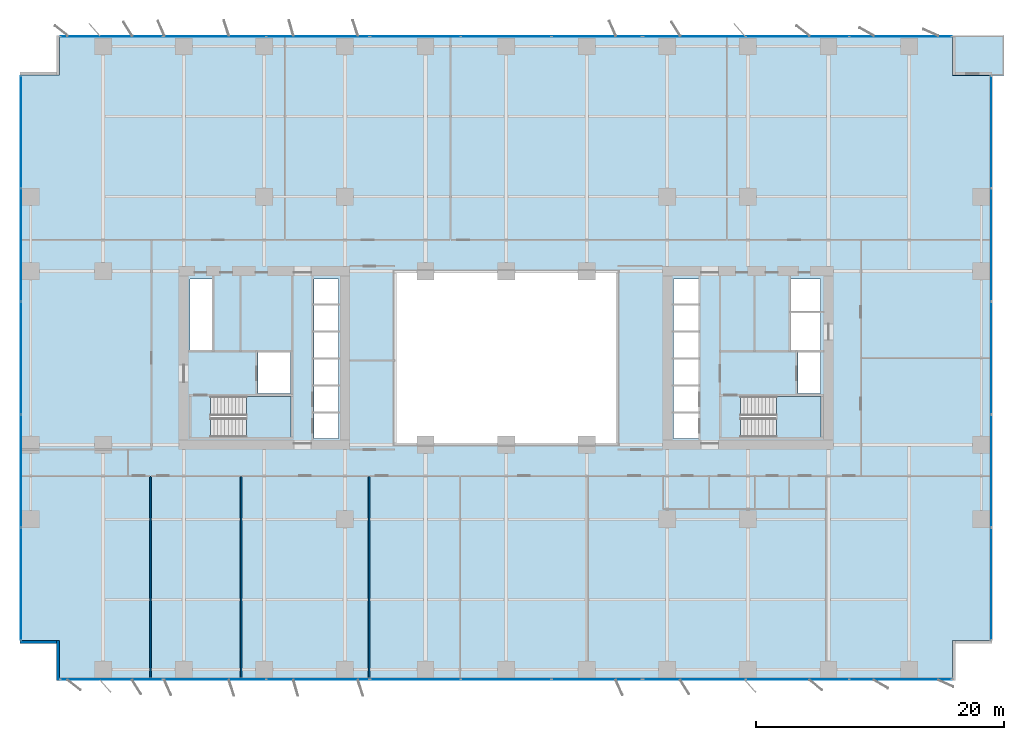
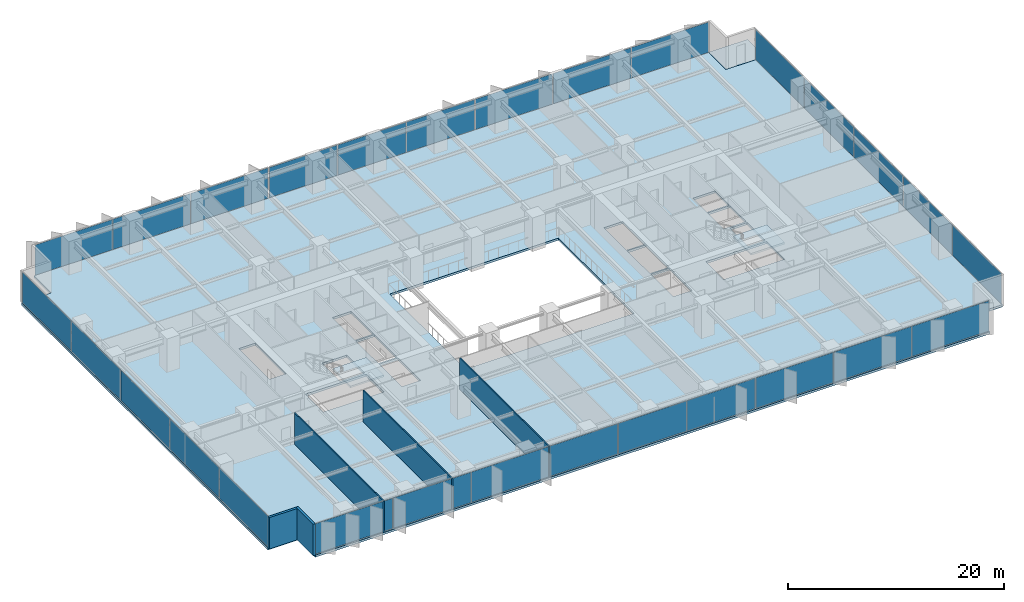
# One storey, part 12 of 20: 28 plates, 5 walls, 4 slabs, 10 elements without a shape of their own.
"""IFC4 building model written with IfcOpenShell, lengths in metres."""

from ifc_helpers import new_model, si_unit, direction, frame, frame_2d, origin, origin_2d, place, context, subcontext, project, spatial, polyline, rectangle, outline, extrude, material, layer, layer_set, type_object, element, aggregate, save


model = new_model("IFC4")

# Units and contexts
model_context = context("Model", 3, precision=1e-05, world=origin(), true_north=direction((0.0, 1.0)))
body_context = subcontext(model_context, "Body", "Model", "MODEL_VIEW")
ifc_project = project(units=[si_unit("LENGTHUNIT", "METRE"), si_unit("AREAUNIT", "SQUARE_METRE"), si_unit("VOLUMEUNIT", "CUBIC_METRE"), si_unit("PLANEANGLEUNIT", "RADIAN"), si_unit("MASSUNIT", "GRAM", prefix="KILO")], contexts=[model_context])

# Site, building, storey
site_placement = place(None, origin())
site = spatial("IfcSite", under=ifc_project, at=site_placement, CompositionType="ELEMENT")
building_placement = place(site_placement, origin())
building = spatial("IfcBuilding", under=site, at=building_placement, Name="Putna Gate Headquarters", CompositionType="ELEMENT")
storey_placement = place(building_placement, frame((0.0, 0.0, 65.800048828125)))
storey = spatial("IfcBuildingStorey", under=building, at=storey_placement, Name="L15", CompositionType="ELEMENT", Elevation=65.800048828125)

# Stair, slab
ifc_material_1 = material(Name="Concrete C40/50", Category="concrete")
stair_type_1 = type_object("IfcStairType", Name="STAIR-ST1", PredefinedType="HALF_TURN_STAIR", material=ifc_material_1)
stair_1_placement = place(storey_placement, origin())
stair_1 = element("IfcStair", 1, at=stair_1_placement, inside=storey, type_object=stair_type_1, Name="L15 West Core Exit Stair ST1", PredefinedType="HALF_TURN_STAIR")
ifc_layer_1 = layer(ifc_material_1, 0.199951171875)
ifc_layer_set_1 = layer_set([ifc_layer_1], Name="Concrete C40/50")
slab_type_1 = type_object("IfcSlabType", Name="LANDING-ST1", PredefinedType="LANDING", material=ifc_layer_set_1)
slab_1_placement = place(storey_placement, frame((0.0, 0.0, 1.699951171875)))
slab_1 = element("IfcSlab", 2, at=slab_1_placement, type_object=slab_type_1, Name="ST1 landing 1", PredefinedType="LANDING", context=body_context, shape_type="SweptSolid", body=[
    extrude(outline(polyline([(18.050048828125, 19.60009765625), (21.64990234375, 19.60009765625), (21.64990234375, 22.89990234375), (18.050048828125, 22.89990234375), (18.050048828125, 19.60009765625)])), origin(), (0.0, 0.0, 1.0), 0.199951171875),
])
aggregate(stair_1, [slab_1])

stair_type_2 = type_object("IfcStairType", Name="STAIR-ST2", PredefinedType="HALF_TURN_STAIR", material=ifc_material_1)
stair_2_placement = place(storey_placement, origin())
stair_2 = element("IfcStair", 3, at=stair_2_placement, inside=storey, type_object=stair_type_2, Name="L15 East Core Exit Stair ST2", PredefinedType="HALF_TURN_STAIR")
ifc_layer_2 = layer(ifc_material_1, 0.199951171875)
ifc_layer_set_2 = layer_set([ifc_layer_2], Name="Concrete C40/50")
slab_type_2 = type_object("IfcSlabType", Name="LANDING-ST2", PredefinedType="LANDING", material=ifc_layer_set_2)
slab_2_placement = place(storey_placement, frame((0.0, 0.0, 1.699951171875)))
slab_2 = element("IfcSlab", 4, at=slab_2_placement, type_object=slab_type_2, Name="ST2 landing 1", PredefinedType="LANDING", context=body_context, shape_type="SweptSolid", body=[
    extrude(outline(polyline([(60.800048828125, 19.60009765625), (64.39990234375, 19.60009765625), (64.39990234375, 22.89990234375), (60.800048828125, 22.89990234375), (60.800048828125, 19.60009765625)])), origin(), (0.0, 0.0, 1.0), 0.199951171875),
])
aggregate(stair_2, [slab_2])

# Curtain wall, plates
ifc_material_2 = material(Name="Anodised bronze aluminium curtain wall", Category="aluminium")
ifc_layer_3 = layer(ifc_material_2, 0.179931640625)
ifc_layer_set_3 = layer_set([ifc_layer_3], Name="Anodised bronze aluminium curtain wall")
curtain_wall_type_1 = type_object("IfcCurtainWallType", Name="CW-SYS-Z1", PredefinedType="USERDEFINED", material=ifc_layer_set_3)
curtain_wall_1_placement = place(storey_placement, origin())
curtain_wall_1 = element("IfcCurtainWall", 5, at=curtain_wall_1_placement, inside=storey, type_object=curtain_wall_type_1, Name="L15 South West Curtain Wall", ObjectType="STICK CURTAIN WALL", PredefinedType="USERDEFINED")
ifc_material_3 = material(Name="Solar-control triple low-E glass", Category="glass")
ifc_layer_4 = layer(ifc_material_3, 0.031982421875)
ifc_layer_set_4 = layer_set([ifc_layer_4], Name="Solar-control triple low-E glass")
plate_type_1 = type_object("IfcPlateType", Name="PAN-CWP-1", PredefinedType="CURTAIN_PANEL", material=ifc_layer_set_4)
plate_1_placement = place(storey_placement, frame((7.18408203125, 0.080078125, 0.06494140625), z_axis=(0.0, 0.0, 1.0), x_axis=(1.0, 0.0, 0.0)))
plate_1 = element("IfcPlate", 6, at=plate_1_placement, type_object=plate_type_1, Name="CWS-1 panel 1.1", PredefinedType="CURTAIN_PANEL", context=body_context, shape_type="SweptSolid", body=[
    extrude(rectangle(XDim=8.228271484375, YDim=0.031982421875, at=origin_2d()), origin(), (0.0, 0.0, 1.0), 3.419921875),
])
plate_2_placement = place(storey_placement, frame((15.5, 0.080078125, 0.06494140625), z_axis=(0.0, 0.0, 1.0), x_axis=(1.0, 0.0, 0.0)))
plate_2 = element("IfcPlate", 7, at=plate_2_placement, type_object=plate_type_1, Name="CWS-1 panel 2.1", PredefinedType="CURTAIN_PANEL", context=body_context, shape_type="SweptSolid", body=[
    extrude(rectangle(XDim=8.263427734375, YDim=0.031982421875, at=origin_2d()), origin(), (0.0, 0.0, 1.0), 3.419921875),
])
plate_3_placement = place(storey_placement, frame((23.81591796875, 0.080078125, 0.06494140625), z_axis=(0.0, 0.0, 1.0), x_axis=(1.0, 0.0, 0.0)))
plate_3 = element("IfcPlate", 8, at=plate_3_placement, type_object=plate_type_1, Name="CWS-1 panel 3.1", PredefinedType="CURTAIN_PANEL", context=body_context, shape_type="SweptSolid", body=[
    extrude(rectangle(XDim=8.228271484375, YDim=0.031982421875, at=origin_2d()), origin(), (0.0, 0.0, 1.0), 3.419921875),
])
aggregate(curtain_wall_1, [plate_1, plate_2, plate_3])

curtain_wall_2_placement = place(storey_placement, origin())
curtain_wall_2 = element("IfcCurtainWall", 9, at=curtain_wall_2_placement, inside=storey, type_object=curtain_wall_type_1, Name="L15 South East Curtain Wall", ObjectType="STICK CURTAIN WALL", PredefinedType="USERDEFINED")
plate_4_placement = place(storey_placement, frame((54.18408203125, 0.080078125, 0.06494140625), z_axis=(0.0, 0.0, 1.0), x_axis=(1.0, 0.0, 0.0)))
plate_4 = element("IfcPlate", 10, at=plate_4_placement, type_object=plate_type_1, Name="CWS-1 panel 1.1", PredefinedType="CURTAIN_PANEL", context=body_context, shape_type="SweptSolid", body=[
    extrude(rectangle(XDim=8.228271484375, YDim=0.031982421875, at=origin_2d()), origin(), (0.0, 0.0, 1.0), 3.419921875),
])
plate_5_placement = place(storey_placement, frame((62.5, 0.080078125, 0.06494140625), z_axis=(0.0, 0.0, 1.0), x_axis=(1.0, 0.0, 0.0)))
plate_5 = element("IfcPlate", 11, at=plate_5_placement, type_object=plate_type_1, Name="CWS-1 panel 2.1", PredefinedType="CURTAIN_PANEL", context=body_context, shape_type="SweptSolid", body=[
    extrude(rectangle(XDim=8.263427734375, YDim=0.031982421875, at=origin_2d()), origin(), (0.0, 0.0, 1.0), 3.419921875),
])
plate_6_placement = place(storey_placement, frame((70.81591796875, 0.080078125, 0.06494140625), z_axis=(0.0, 0.0, 1.0), x_axis=(1.0, 0.0, 0.0)))
plate_6 = element("IfcPlate", 12, at=plate_6_placement, type_object=plate_type_1, Name="CWS-1 panel 3.1", PredefinedType="CURTAIN_PANEL", context=body_context, shape_type="SweptSolid", body=[
    extrude(rectangle(XDim=8.228271484375, YDim=0.031982421875, at=origin_2d()), origin(), (0.0, 0.0, 1.0), 3.419921875),
])
aggregate(curtain_wall_2, [plate_4, plate_5, plate_6])

curtain_wall_3_placement = place(storey_placement, origin())
curtain_wall_3 = element("IfcCurtainWall", 13, at=curtain_wall_3_placement, inside=storey, type_object=curtain_wall_type_1, Name="L15 North West Curtain Wall", ObjectType="STICK CURTAIN WALL", PredefinedType="USERDEFINED")
plate_7_placement = place(storey_placement, frame((7.18408203125, 51.919921875, 0.06494140625), z_axis=(0.0, 0.0, 1.0), x_axis=(1.0, 0.0, 0.0)))
plate_7 = element("IfcPlate", 14, at=plate_7_placement, type_object=plate_type_1, Name="CWS-1 panel 1.1", PredefinedType="CURTAIN_PANEL", context=body_context, shape_type="SweptSolid", body=[
    extrude(rectangle(XDim=8.228271484375, YDim=0.031982421875, at=origin_2d()), origin(), (0.0, 0.0, 1.0), 3.419921875),
])
plate_8_placement = place(storey_placement, frame((15.5, 51.919921875, 0.06494140625), z_axis=(0.0, 0.0, 1.0), x_axis=(1.0, 0.0, 0.0)))
plate_8 = element("IfcPlate", 15, at=plate_8_placement, type_object=plate_type_1, Name="CWS-1 panel 2.1", PredefinedType="CURTAIN_PANEL", context=body_context, shape_type="SweptSolid", body=[
    extrude(rectangle(XDim=8.263427734375, YDim=0.031982421875, at=origin_2d()), origin(), (0.0, 0.0, 1.0), 3.419921875),
])
plate_9_placement = place(storey_placement, frame((23.81591796875, 51.919921875, 0.06494140625), z_axis=(0.0, 0.0, 1.0), x_axis=(1.0, 0.0, 0.0)))
plate_9 = element("IfcPlate", 16, at=plate_9_placement, type_object=plate_type_1, Name="CWS-1 panel 3.1", PredefinedType="CURTAIN_PANEL", context=body_context, shape_type="SweptSolid", body=[
    extrude(rectangle(XDim=8.228271484375, YDim=0.031982421875, at=origin_2d()), origin(), (0.0, 0.0, 1.0), 3.419921875),
])
aggregate(curtain_wall_3, [plate_7, plate_8, plate_9])

curtain_wall_4_placement = place(storey_placement, origin())
curtain_wall_4 = element("IfcCurtainWall", 17, at=curtain_wall_4_placement, inside=storey, type_object=curtain_wall_type_1, Name="L15 North East Curtain Wall", ObjectType="STICK CURTAIN WALL", PredefinedType="USERDEFINED")
plate_10_placement = place(storey_placement, frame((54.18408203125, 51.919921875, 0.06494140625), z_axis=(0.0, 0.0, 1.0), x_axis=(1.0, 0.0, 0.0)))
plate_10 = element("IfcPlate", 18, at=plate_10_placement, type_object=plate_type_1, Name="CWS-1 panel 1.1", PredefinedType="CURTAIN_PANEL", context=body_context, shape_type="SweptSolid", body=[
    extrude(rectangle(XDim=8.228271484375, YDim=0.031982421875, at=origin_2d()), origin(), (0.0, 0.0, 1.0), 3.419921875),
])
plate_11_placement = place(storey_placement, frame((62.5, 51.919921875, 0.06494140625), z_axis=(0.0, 0.0, 1.0), x_axis=(1.0, 0.0, 0.0)))
plate_11 = element("IfcPlate", 19, at=plate_11_placement, type_object=plate_type_1, Name="CWS-1 panel 2.1", PredefinedType="CURTAIN_PANEL", context=body_context, shape_type="SweptSolid", body=[
    extrude(rectangle(XDim=8.263427734375, YDim=0.031982421875, at=origin_2d()), origin(), (0.0, 0.0, 1.0), 3.419921875),
])
plate_12_placement = place(storey_placement, frame((70.81591796875, 51.919921875, 0.06494140625), z_axis=(0.0, 0.0, 1.0), x_axis=(1.0, 0.0, 0.0)))
plate_12 = element("IfcPlate", 20, at=plate_12_placement, type_object=plate_type_1, Name="CWS-1 panel 3.1", PredefinedType="CURTAIN_PANEL", context=body_context, shape_type="SweptSolid", body=[
    extrude(rectangle(XDim=8.228271484375, YDim=0.031982421875, at=origin_2d()), origin(), (0.0, 0.0, 1.0), 3.419921875),
])
aggregate(curtain_wall_4, [plate_10, plate_11, plate_12])

curtain_wall_5_placement = place(storey_placement, origin())
curtain_wall_5 = element("IfcCurtainWall", 21, at=curtain_wall_5_placement, inside=storey, type_object=curtain_wall_type_1, Name="L15 West Curtain Wall", ObjectType="STICK CURTAIN WALL", PredefinedType="USERDEFINED")
plate_13_placement = place(storey_placement, frame((-0.1201171875, 7.777587890625, 0.06494140625), z_axis=(0.0, 0.0, 1.0), x_axis=(0.0, 1.0, 0.0)))
plate_13 = element("IfcPlate", 22, at=plate_13_placement, type_object=plate_type_1, Name="CWS-1 panel 1.1", PredefinedType="CURTAIN_PANEL", context=body_context, shape_type="SweptSolid", body=[
    extrude(rectangle(XDim=9.014892578125, YDim=0.031982421875, at=origin_2d()), origin(), (0.0, 0.0, 1.0), 3.419921875),
])
plate_14_placement = place(storey_placement, frame((-0.1201171875, 16.8798828125, 0.06494140625), z_axis=(0.0, 0.0, 1.0), x_axis=(0.0, 1.0, 0.0)))
plate_14 = element("IfcPlate", 23, at=plate_14_placement, type_object=plate_type_1, Name="CWS-1 panel 2.1", PredefinedType="CURTAIN_PANEL", context=body_context, shape_type="SweptSolid", body=[
    extrude(rectangle(XDim=9.050048828125, YDim=0.031982421875, at=origin_2d()), origin(), (0.0, 0.0, 1.0), 3.419921875),
])
plate_15_placement = place(storey_placement, frame((-0.1201171875, 26.0, 0.06494140625), z_axis=(0.0, 0.0, 1.0), x_axis=(0.0, 1.0, 0.0)))
plate_15 = element("IfcPlate", 24, at=plate_15_placement, type_object=plate_type_1, Name="CWS-1 panel 3.1", PredefinedType="CURTAIN_PANEL", context=body_context, shape_type="SweptSolid", body=[
    extrude(rectangle(XDim=9.050048828125, YDim=0.031982421875, at=origin_2d()), origin(), (0.0, 0.0, 1.0), 3.419921875),
])
plate_16_placement = place(storey_placement, frame((-0.1201171875, 35.1201171875, 0.06494140625), z_axis=(0.0, 0.0, 1.0), x_axis=(0.0, 1.0, 0.0)))
plate_16 = element("IfcPlate", 25, at=plate_16_placement, type_object=plate_type_1, Name="CWS-1 panel 4.1", PredefinedType="CURTAIN_PANEL", context=body_context, shape_type="SweptSolid", body=[
    extrude(rectangle(XDim=9.050048828125, YDim=0.031982421875, at=origin_2d()), origin(), (0.0, 0.0, 1.0), 3.419921875),
])
plate_17_placement = place(storey_placement, frame((-0.1201171875, 44.222412109375, 0.06494140625), z_axis=(0.0, 0.0, 1.0), x_axis=(0.0, 1.0, 0.0)))
plate_17 = element("IfcPlate", 26, at=plate_17_placement, type_object=plate_type_1, Name="CWS-1 panel 5.1", PredefinedType="CURTAIN_PANEL", context=body_context, shape_type="SweptSolid", body=[
    extrude(rectangle(XDim=9.014892578125, YDim=0.031982421875, at=origin_2d()), origin(), (0.0, 0.0, 1.0), 3.419921875),
])
aggregate(curtain_wall_5, [plate_13, plate_14, plate_15, plate_16, plate_17])

curtain_wall_6_placement = place(storey_placement, origin())
curtain_wall_6 = element("IfcCurtainWall", 27, at=curtain_wall_6_placement, inside=storey, type_object=curtain_wall_type_1, Name="L15 East Curtain Wall", ObjectType="STICK CURTAIN WALL", PredefinedType="USERDEFINED")
plate_18_placement = place(storey_placement, frame((78.1201171875, 7.777587890625, 0.06494140625), z_axis=(0.0, 0.0, 1.0), x_axis=(0.0, 1.0, 0.0)))
plate_18 = element("IfcPlate", 28, at=plate_18_placement, type_object=plate_type_1, Name="CWS-1 panel 1.1", PredefinedType="CURTAIN_PANEL", context=body_context, shape_type="SweptSolid", body=[
    extrude(rectangle(XDim=9.014892578125, YDim=0.031982421875, at=origin_2d()), origin(), (0.0, 0.0, 1.0), 3.419921875),
])
plate_19_placement = place(storey_placement, frame((78.1201171875, 16.8798828125, 0.06494140625), z_axis=(0.0, 0.0, 1.0), x_axis=(0.0, 1.0, 0.0)))
plate_19 = element("IfcPlate", 29, at=plate_19_placement, type_object=plate_type_1, Name="CWS-1 panel 2.1", PredefinedType="CURTAIN_PANEL", context=body_context, shape_type="SweptSolid", body=[
    extrude(rectangle(XDim=9.050048828125, YDim=0.031982421875, at=origin_2d()), origin(), (0.0, 0.0, 1.0), 3.419921875),
])
plate_20_placement = place(storey_placement, frame((78.1201171875, 26.0, 0.06494140625), z_axis=(0.0, 0.0, 1.0), x_axis=(0.0, 1.0, 0.0)))
plate_20 = element("IfcPlate", 30, at=plate_20_placement, type_object=plate_type_1, Name="CWS-1 panel 3.1", PredefinedType="CURTAIN_PANEL", context=body_context, shape_type="SweptSolid", body=[
    extrude(rectangle(XDim=9.050048828125, YDim=0.031982421875, at=origin_2d()), origin(), (0.0, 0.0, 1.0), 3.419921875),
])
plate_21_placement = place(storey_placement, frame((78.1201171875, 35.1201171875, 0.06494140625), z_axis=(0.0, 0.0, 1.0), x_axis=(0.0, 1.0, 0.0)))
plate_21 = element("IfcPlate", 31, at=plate_21_placement, type_object=plate_type_1, Name="CWS-1 panel 4.1", PredefinedType="CURTAIN_PANEL", context=body_context, shape_type="SweptSolid", body=[
    extrude(rectangle(XDim=9.050048828125, YDim=0.031982421875, at=origin_2d()), origin(), (0.0, 0.0, 1.0), 3.419921875),
])
plate_22_placement = place(storey_placement, frame((78.1201171875, 44.222412109375, 0.06494140625), z_axis=(0.0, 0.0, 1.0), x_axis=(0.0, 1.0, 0.0)))
plate_22 = element("IfcPlate", 32, at=plate_22_placement, type_object=plate_type_1, Name="CWS-1 panel 5.1", PredefinedType="CURTAIN_PANEL", context=body_context, shape_type="SweptSolid", body=[
    extrude(rectangle(XDim=9.014892578125, YDim=0.031982421875, at=origin_2d()), origin(), (0.0, 0.0, 1.0), 3.419921875),
])
aggregate(curtain_wall_6, [plate_18, plate_19, plate_20, plate_21, plate_22])

ifc_layer_5 = layer(ifc_material_2, 0.179931640625)
ifc_layer_set_5 = layer_set([ifc_layer_5], Name="Anodised bronze aluminium curtain wall")
curtain_wall_type_2 = type_object("IfcCurtainWallType", Name="CW-SYS-ATR", PredefinedType="USERDEFINED", material=ifc_layer_set_5)
curtain_wall_7_placement = place(storey_placement, origin())
curtain_wall_7 = element("IfcCurtainWall", 33, at=curtain_wall_7_placement, inside=storey, type_object=curtain_wall_type_2, Name="L15 South Atrium Clear Glazing", ObjectType="ATRIUM GLAZING", PredefinedType="USERDEFINED")
ifc_material_4 = material(Name="Clear low-iron triple glazing", Category="glass")
ifc_layer_6 = layer(ifc_material_4, 0.0400390625)
ifc_layer_set_6 = layer_set([ifc_layer_6], Name="Clear low-iron triple glazing")
plate_type_2 = type_object("IfcPlateType", Name="PAN-CWP-AT", PredefinedType="CURTAIN_PANEL", material=ifc_layer_set_6)
plate_23_placement = place(storey_placement, frame((31.68408203125, 0.080078125, 0.06982421875), z_axis=(0.0, 0.0, 1.0), x_axis=(1.0, 0.0, 0.0)))
plate_23 = element("IfcPlate", 34, at=plate_23_placement, type_object=plate_type_2, Name="CWS-AT panel 1.1", PredefinedType="CURTAIN_PANEL", context=body_context, shape_type="SweptSolid", body=[
    extrude(rectangle(XDim=7.228271484375, YDim=0.0400390625, at=origin_2d()), origin(), (0.0, 0.0, 1.0), 3.409912109375),
])
plate_24_placement = place(storey_placement, frame((39.0, 0.080078125, 0.06982421875), z_axis=(0.0, 0.0, 1.0), x_axis=(1.0, 0.0, 0.0)))
plate_24 = element("IfcPlate", 35, at=plate_24_placement, type_object=plate_type_2, Name="CWS-AT panel 2.1", PredefinedType="CURTAIN_PANEL", context=body_context, shape_type="SweptSolid", body=[
    extrude(rectangle(XDim=7.263427734375, YDim=0.0400390625, at=origin_2d()), origin(), (0.0, 0.0, 1.0), 3.409912109375),
])
plate_25_placement = place(storey_placement, frame((46.31591796875, 0.080078125, 0.06982421875), z_axis=(0.0, 0.0, 1.0), x_axis=(1.0, 0.0, 0.0)))
plate_25 = element("IfcPlate", 36, at=plate_25_placement, type_object=plate_type_2, Name="CWS-AT panel 3.1", PredefinedType="CURTAIN_PANEL", context=body_context, shape_type="SweptSolid", body=[
    extrude(rectangle(XDim=7.228271484375, YDim=0.0400390625, at=origin_2d()), origin(), (0.0, 0.0, 1.0), 3.409912109375),
])
aggregate(curtain_wall_7, [plate_23, plate_24, plate_25])

curtain_wall_8_placement = place(storey_placement, origin())
curtain_wall_8 = element("IfcCurtainWall", 37, at=curtain_wall_8_placement, inside=storey, type_object=curtain_wall_type_2, Name="L15 North Atrium Clear Glazing", ObjectType="ATRIUM GLAZING", PredefinedType="USERDEFINED")
plate_26_placement = place(storey_placement, frame((31.68408203125, 51.919921875, 0.06982421875), z_axis=(0.0, 0.0, 1.0), x_axis=(1.0, 0.0, 0.0)))
plate_26 = element("IfcPlate", 38, at=plate_26_placement, type_object=plate_type_2, Name="CWS-AT panel 1.1", PredefinedType="CURTAIN_PANEL", context=body_context, shape_type="SweptSolid", body=[
    extrude(rectangle(XDim=7.228271484375, YDim=0.0400390625, at=origin_2d()), origin(), (0.0, 0.0, 1.0), 3.409912109375),
])
plate_27_placement = place(storey_placement, frame((39.0, 51.919921875, 0.06982421875), z_axis=(0.0, 0.0, 1.0), x_axis=(1.0, 0.0, 0.0)))
plate_27 = element("IfcPlate", 39, at=plate_27_placement, type_object=plate_type_2, Name="CWS-AT panel 2.1", PredefinedType="CURTAIN_PANEL", context=body_context, shape_type="SweptSolid", body=[
    extrude(rectangle(XDim=7.263427734375, YDim=0.0400390625, at=origin_2d()), origin(), (0.0, 0.0, 1.0), 3.409912109375),
])
plate_28_placement = place(storey_placement, frame((46.31591796875, 51.919921875, 0.06982421875), z_axis=(0.0, 0.0, 1.0), x_axis=(1.0, 0.0, 0.0)))
plate_28 = element("IfcPlate", 40, at=plate_28_placement, type_object=plate_type_2, Name="CWS-AT panel 3.1", PredefinedType="CURTAIN_PANEL", context=body_context, shape_type="SweptSolid", body=[
    extrude(rectangle(XDim=7.228271484375, YDim=0.0400390625, at=origin_2d()), origin(), (0.0, 0.0, 1.0), 3.409912109375),
])
aggregate(curtain_wall_8, [plate_26, plate_27, plate_28])

# Slabs
ifc_layer_7 = layer(ifc_material_1, 0.179931640625)
ifc_layer_set_7 = layer_set([ifc_layer_7], Name="Concrete C40/50")
slab_type_3 = type_object("IfcSlabType", Name="SLAB-TERRACE-180", PredefinedType="FLOOR", material=ifc_layer_set_7)
slab_3_placement = place(storey_placement, frame((0.0, 0.0, -0.179931640625)))
element("IfcSlab", 41, at=slab_3_placement, inside=storey, type_object=slab_type_3, Name="L15 Spiral Sky-Garden Terrace Slab (NE)", PredefinedType="FLOOR", context=body_context, shape_type="SweptSolid", body=[
    extrude(outline(polyline([(74.991943359375, 48.7919921875), (79.14990234375, 48.7919921875), (79.14990234375, 52.0), (74.991943359375, 52.0), (74.991943359375, 48.7919921875)])), origin(), (0.0, 0.0, 1.0), 0.179931640625),
])
ifc_layer_8 = layer(ifc_material_1, 0.25)
ifc_layer_set_8 = layer_set([ifc_layer_8], Name="Concrete C40/50")
slab_type_4 = type_object("IfcSlabType", Name="SLAB-Z1-250", PredefinedType="FLOOR", material=ifc_layer_set_8)
slab_4_placement = place(storey_placement, frame((0.0, 0.0, -0.25)))
element("IfcSlab", 42, at=slab_4_placement, inside=storey, type_object=slab_type_4, Name="L15 Composite Floor Slab", PredefinedType="FLOOR", context=body_context, shape_type="SweptSolid", body=[
    extrude(outline(polyline([(3.0, 0.0), (75.0, 0.0), (75.0, 3.199951171875), (78.199951171875, 3.199951171875), (78.199951171875, 48.800048828125), (75.0, 48.800048828125), (75.0, 52.0), (3.0, 52.0), (3.0, 48.800048828125), (-0.199951171875, 48.800048828125), (-0.199951171875, 3.199951171875), (3.0, 3.199951171875), (3.0, 0.0)]), holes=[polyline([(15.1650390625, 19.60009765625), (21.64990234375, 19.60009765625), (21.64990234375, 22.89990234375), (15.1650390625, 22.89990234375), (15.1650390625, 19.60009765625)]), polyline([(57.9150390625, 19.60009765625), (64.39990234375, 19.60009765625), (64.39990234375, 22.89990234375), (57.9150390625, 22.89990234375), (57.9150390625, 19.60009765625)]), polyline([(13.52001953125, 26.659912109375), (15.280029296875, 26.659912109375), (15.280029296875, 32.35009765625), (13.52001953125, 32.35009765625), (13.52001953125, 26.659912109375)]), polyline([(61.969970703125, 29.780029296875), (64.35009765625, 29.780029296875), (64.35009765625, 32.35009765625), (61.969970703125, 32.35009765625), (61.969970703125, 29.780029296875)]), polyline([(18.97998046875, 23.1201171875), (21.6201171875, 23.1201171875), (21.6201171875, 26.4599609375), (18.97998046875, 26.4599609375), (18.97998046875, 23.1201171875)]), polyline([(62.52001953125, 23.1201171875), (64.35009765625, 23.1201171875), (64.35009765625, 26.4599609375), (62.52001953125, 26.4599609375), (62.52001953125, 23.1201171875)]), polyline([(61.969970703125, 26.659912109375), (64.35009765625, 26.659912109375), (64.35009765625, 29.6201171875), (61.969970703125, 29.6201171875), (61.969970703125, 26.659912109375)]), polyline([(23.5, 19.52001953125), (25.5, 19.52001953125), (25.5, 23.699951171875), (23.5, 23.699951171875), (23.5, 19.52001953125)]), polyline([(52.47998046875, 19.52001953125), (54.5, 19.52001953125), (54.5, 23.699951171875), (52.47998046875, 23.699951171875), (52.47998046875, 19.52001953125)]), polyline([(23.5, 23.860107421875), (25.5, 23.860107421875), (25.5, 28.0400390625), (23.5, 28.0400390625), (23.5, 23.860107421875)]), polyline([(52.47998046875, 23.860107421875), (54.5, 23.860107421875), (54.5, 28.0400390625), (52.47998046875, 28.0400390625), (52.47998046875, 23.860107421875)]), polyline([(23.5, 28.199951171875), (25.5, 28.199951171875), (25.5, 32.35009765625), (23.5, 32.35009765625), (23.5, 28.199951171875)]), polyline([(52.47998046875, 28.199951171875), (54.5, 28.199951171875), (54.5, 32.35009765625), (52.47998046875, 32.35009765625), (52.47998046875, 28.199951171875)]), polyline([(30.0, 19.0), (48.0, 19.0), (48.0, 33.0), (30.0, 33.0), (30.0, 19.0)])]), origin(), (0.0, 0.0, 1.0), 0.25),
])

# Walls
ifc_material_5 = material(Name="Precast concrete C40/50", Category="concrete")
ifc_layer_9 = layer(ifc_material_5, 0.239990234375)
ifc_layer_set_9 = layer_set([ifc_layer_9], Name="Precast concrete C40/50")
wall_type_1 = type_object("IfcWallType", Name="WALL-EXT-TERR-240", PredefinedType="STANDARD", material=ifc_layer_set_9)
for number, where, z_axis, x_axis, name in (
    (43, (2.8798828125, 0.0, 0.0), (0.0, 0.0, 1.0), (0.0, 1.0, 0.0), "L15 Corner Notch Return Wall SW-V"),
    (44, (3.0, 3.080078125, 0.0), (0.0, 0.0, 1.0), (-1.0, 0.0, 0.0), "L15 Corner Notch Return Wall SW-H"),
):
    element("IfcWall", number, at=place(storey_placement, frame(where, z_axis=z_axis, x_axis=x_axis)), inside=storey, type_object=wall_type_1, Name=name, PredefinedType="STANDARD", context=body_context, shape_type="SweptSolid", body=[
        extrude(rectangle(XDim=3.199951171875, YDim=0.239990234375, at=frame_2d((1.60009765625, 0.0))), origin(), (0.0, 0.0, 1.0), 3.550048828125),
    ])
ifc_material_6 = material(Name="Acoustic gypsum board on metal stud")
ifc_layer_10 = layer(ifc_material_6, 0.1201171875)
ifc_layer_set_10 = layer_set([ifc_layer_10], Name="Acoustic gypsum board on metal stud")
wall_type_2 = type_object("IfcWallType", Name="WALL-PART-120", PredefinedType="PARTITIONING", material=ifc_layer_set_10)
for number, where, z_axis, x_axis, name in (
    (45, (10.30908203125, 0.02001953125, 0.0), (0.0, 0.0, 1.0), (0.0, 1.0, 0.0), "L15 Interior Wall PART-L15-SB-DIV-01"),
    (46, (17.62548828125, 0.02001953125, 0.0), (0.0, 0.0, 1.0), (0.0, 1.0, 0.0), "L15 Interior Wall PART-L15-SB-DIV-02"),
    (47, (27.95458984375, 0.02001953125, 0.0), (0.0, 0.0, 1.0), (0.0, 1.0, 0.0), "L15 Interior Wall PART-L15-SB-DIV-03"),
):
    element("IfcWall", number, at=place(storey_placement, frame(where, z_axis=z_axis, x_axis=x_axis)), inside=storey, type_object=wall_type_2, Name=name, PredefinedType="PARTITIONING", context=body_context, shape_type="SweptSolid", body=[
        extrude(rectangle(XDim=16.419921875, YDim=0.1201171875, at=frame_2d((8.2099609375, 0.0))), origin(), (0.0, 0.0, 1.0), 3.550048828125),
    ])

save(model, "model.ifc")
